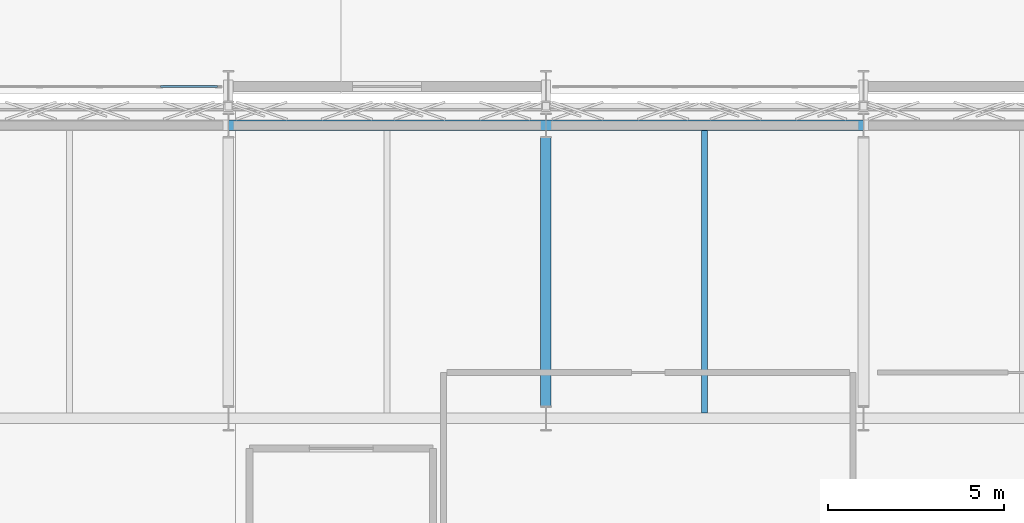
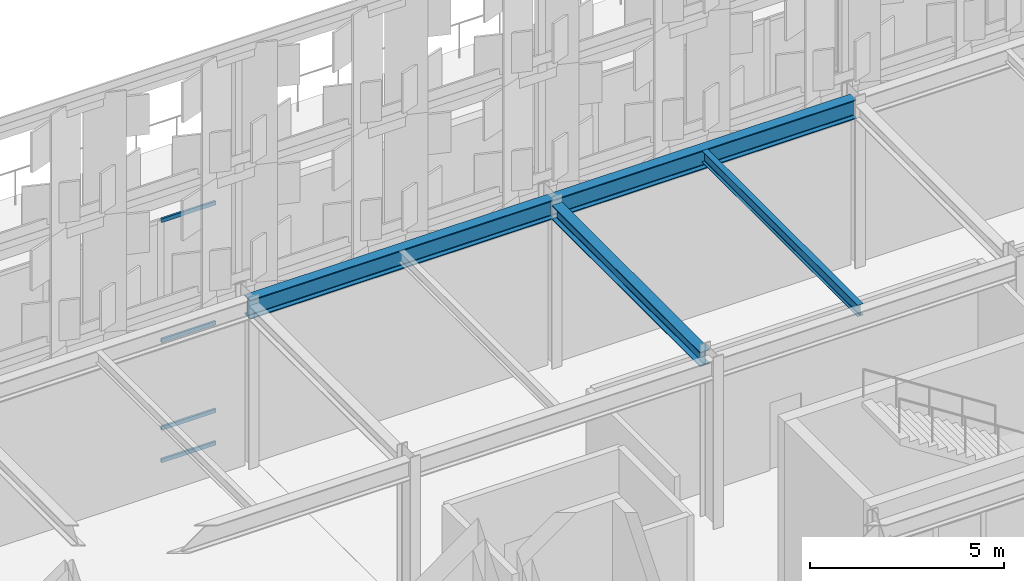
# One storey, part 68 of 210: 4 beams, 4 members, 1 element without a shape of its own.
"""IFC4 building model written with IfcOpenShell, lengths in metres."""

from ifc_helpers import new_model, si_unit, direction, frame, origin, origin_2d, place, context, subcontext, project, spatial, hollow_rectangle, i_section, extrude, material, material_profile, profile_set, type_object, element, aggregate, save


model = new_model("IFC4")

# Units and contexts
model_context = context("Model", 3, precision=1e-05, world=origin(), true_north=direction((0.0, 1.0)))
body_context = subcontext(model_context, "Body", "Model", "MODEL_VIEW")
ifc_project = project(units=[si_unit("LENGTHUNIT", "METRE"), si_unit("AREAUNIT", "SQUARE_METRE"), si_unit("VOLUMEUNIT", "CUBIC_METRE"), si_unit("PLANEANGLEUNIT", "RADIAN"), si_unit("MASSUNIT", "GRAM", prefix="KILO")], contexts=[model_context])

# Site, building, storey
site_placement = place(None, origin())
site = spatial("IfcSite", under=ifc_project, at=site_placement, CompositionType="ELEMENT")
building_placement = place(site_placement, origin())
building = spatial("IfcBuilding", under=site, at=building_placement, Name="Kaldris Quays Convention Centre", CompositionType="ELEMENT")
storey_placement = place(building_placement, frame((0.0, 0.0, 6.0)))
storey = spatial("IfcBuildingStorey", under=building, at=storey_placement, Name="L01", CompositionType="ELEMENT", Elevation=6.0)

# Curtain wall, members
ifc_material_1 = material(Name="Anodized aluminium AW-6060 and triple glazing", Category="aluminium")
curtain_wall_type = type_object("IfcCurtainWallType", Name="UNITISED CURTAIN WALL CW03", PredefinedType="NOTDEFINED", material=ifc_material_1)
curtain_wall_placement = place(storey_placement, origin())
curtain_wall = element("IfcCurtainWall", 1, at=curtain_wall_placement, inside=storey, type_object=curtain_wall_type, Name="L01 Unitised Curtain Wall CW03 9", PredefinedType="NOTDEFINED")
ifc_material_2 = material(Name="Anodized aluminium AW-6060", Category="aluminium")
ifc_material_profile_1 = material_profile(ifc_material_2, hollow_rectangle(XDim=0.06005859375, YDim=0.1201171875, WallThickness=0.00390625, at=origin_2d()), Name="RHS 120x60x4")
ifc_profile_set_1 = profile_set([ifc_material_profile_1], Name="Anodized aluminium AW-6060")
member_type = type_object("IfcMemberType", Name="CURTAIN TRANSOM CWT1", PredefinedType="USERDEFINED", material=ifc_profile_set_1)
member_1_placement = place(storey_placement, frame((99.080078125, 56.0, 0.030029296875), z_axis=(1.0, 0.0, 0.0), x_axis=(0.0, 1.0, 0.0)))
member_1 = element("IfcMember", 2, at=member_1_placement, type_object=member_type, Name="CW03 transom 5.1", ObjectType="TRANSOM", PredefinedType="USERDEFINED", context=body_context, shape_type="SweptSolid", body=[
    extrude(hollow_rectangle(XDim=0.06005859375, YDim=0.1201171875, WallThickness=0.00390625, at=origin_2d()), origin(), (0.0, 0.0, 1.0), 1.60986328125),
])
member_2_placement = place(storey_placement, frame((99.080078125, 56.0, 1.050048828125), z_axis=(1.0, 0.0, 0.0), x_axis=(0.0, 1.0, 0.0)))
member_2 = element("IfcMember", 3, at=member_2_placement, type_object=member_type, Name="CW03 transom 5.2", ObjectType="TRANSOM", PredefinedType="USERDEFINED", context=body_context, shape_type="SweptSolid", body=[
    extrude(hollow_rectangle(XDim=0.06005859375, YDim=0.1201171875, WallThickness=0.00390625, at=origin_2d()), origin(), (0.0, 0.0, 1.0), 1.60986328125),
])
member_3_placement = place(storey_placement, frame((99.080078125, 56.0, 3.800048828125), z_axis=(1.0, 0.0, 0.0), x_axis=(0.0, 1.0, 0.0)))
member_3 = element("IfcMember", 4, at=member_3_placement, type_object=member_type, Name="CW03 transom 5.3", ObjectType="TRANSOM", PredefinedType="USERDEFINED", context=body_context, shape_type="SweptSolid", body=[
    extrude(hollow_rectangle(XDim=0.06005859375, YDim=0.1201171875, WallThickness=0.00390625, at=origin_2d()), origin(), (0.0, 0.0, 1.0), 1.60986328125),
])
member_4_placement = place(storey_placement, frame((99.080078125, 56.0, 7.570068359375), z_axis=(1.0, 0.0, 0.0), x_axis=(0.0, 1.0, 0.0)))
member_4 = element("IfcMember", 5, at=member_4_placement, type_object=member_type, Name="CW03 transom 5.4", ObjectType="TRANSOM", PredefinedType="USERDEFINED", context=body_context, shape_type="SweptSolid", body=[
    extrude(hollow_rectangle(XDim=0.06005859375, YDim=0.1201171875, WallThickness=0.00390625, at=origin_2d()), origin(), (0.0, 0.0, 1.0), 1.60986328125),
])
aggregate(curtain_wall, [member_1, member_2, member_3, member_4])

# Beams
ifc_material_3 = material(Name="Steel S355J2", Category="steel")
ifc_material_profile_2 = material_profile(ifc_material_3, i_section(OverallWidth=0.300048828125, OverallDepth=0.60009765625, WebThickness=0.015380859375, FlangeThickness=0.030029296875, FilletRadius=0.027099609375, at=origin_2d()), Name="HEB 600")
ifc_profile_set_2 = profile_set([ifc_material_profile_2], Name="Steel S355J2")
beam_type_1 = type_object("IfcBeamType", Name="STRUCTURAL BEAM BM05", PredefinedType="BEAM", material=ifc_profile_set_2)
for number, where, z_axis, x_axis, name in (
    (6, (101.00244140625, 54.89990234375, 4.843017578125), (1.0, 0.0, 0.0), (0.0, 1.0, 0.0), "L01 Girder BM05 21"),
    (7, (110.00244140625, 54.89990234375, 4.843017578125), (1.0, 0.0, 0.0), (0.0, 1.0, 0.0), "L01 Girder BM05 22"),
):
    element("IfcBeam", number, at=place(storey_placement, frame(where, z_axis=z_axis, x_axis=x_axis)), inside=storey, type_object=beam_type_1, Name=name, PredefinedType="BEAM", context=body_context, shape_type="SweptSolid", body=[
        extrude(i_section(OverallWidth=0.300048828125, OverallDepth=0.60009765625, WebThickness=0.015380859375, FlangeThickness=0.030029296875, FilletRadius=0.027099609375, at=origin_2d()), origin(), (0.0, 0.0, 1.0), 8.9951171875),
    ])
ifc_material_profile_3 = material_profile(ifc_material_3, i_section(OverallWidth=0.300048828125, OverallDepth=0.449951171875, WebThickness=0.013916015625, FlangeThickness=0.02587890625, FilletRadius=0.027099609375, at=origin_2d()), Name="HEB 450")
ifc_profile_set_3 = profile_set([ifc_material_profile_3], Name="Steel S355J2")
beam_type_2 = type_object("IfcBeamType", Name="STRUCTURAL BEAM BM07", PredefinedType="BEAM", material=ifc_profile_set_3)
beam_1_placement = place(storey_placement, frame((110.0, 46.944091796875, 4.91796875), z_axis=(0.0, 1.0, 0.0), x_axis=(-1.0, 0.0, 0.0)))
element("IfcBeam", 8, at=beam_1_placement, inside=storey, type_object=beam_type_2, Name="L01 Girder BM07 60", PredefinedType="BEAM", context=body_context, shape_type="SweptSolid", body=[
    extrude(i_section(OverallWidth=0.300048828125, OverallDepth=0.449951171875, WebThickness=0.013916015625, FlangeThickness=0.02587890625, FilletRadius=0.027099609375, at=origin_2d()), origin(), (0.0, 0.0, 1.0), 7.61181640625),
])
ifc_material_profile_4 = material_profile(ifc_material_3, i_section(OverallWidth=0.169921875, OverallDepth=0.360107421875, WebThickness=0.008056640625, FlangeThickness=0.0126953125, FilletRadius=0.01806640625, at=origin_2d()), Name="IPE 360")
ifc_profile_set_4 = profile_set([ifc_material_profile_4], Name="Steel S355J2")
beam_type_3 = type_object("IfcBeamType", Name="STRUCTURAL BEAM JT03", PredefinedType="JOIST", material=ifc_profile_set_4)
beam_2_placement = place(storey_placement, frame((114.5, 46.743896484375, 4.962890625), z_axis=(0.0, 1.0, 0.0), x_axis=(-1.0, 0.0, 0.0)))
element("IfcBeam", 9, at=beam_2_placement, inside=storey, type_object=beam_type_3, Name="L01 Secondary Joist JT03 6", PredefinedType="JOIST", context=body_context, shape_type="SweptSolid", body=[
    extrude(i_section(OverallWidth=0.169921875, OverallDepth=0.360107421875, WebThickness=0.008056640625, FlangeThickness=0.0126953125, FilletRadius=0.01806640625, at=origin_2d()), origin(), (0.0, 0.0, 1.0), 8.01220703125),
])

save(model, "model.ifc")
